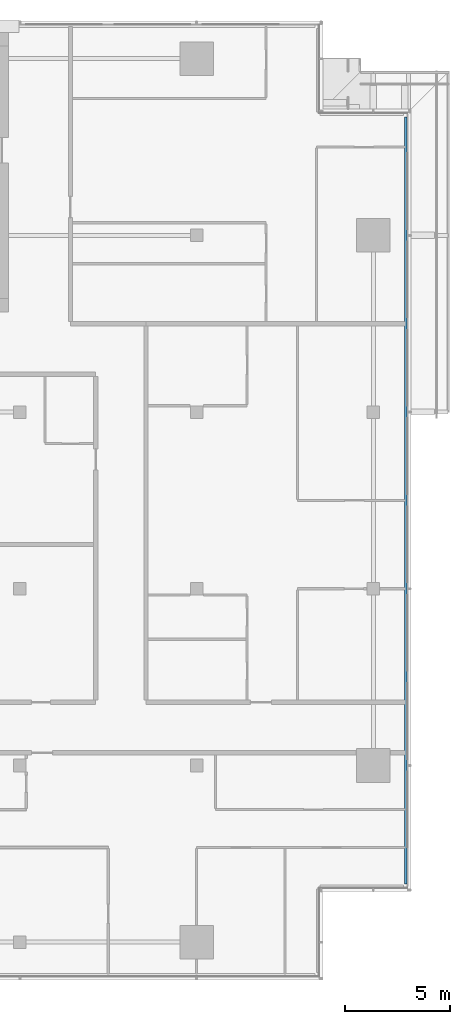
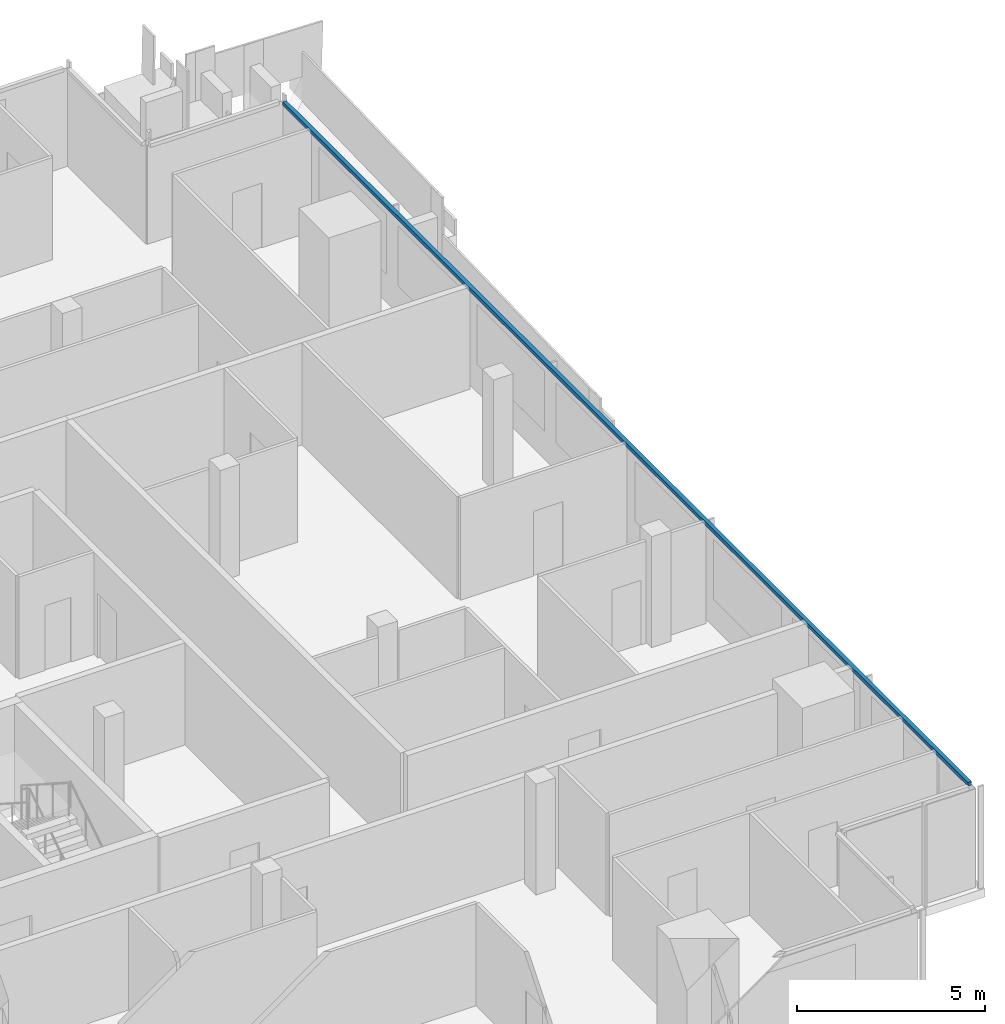
# One storey, part 12 of 30: 1 member, 1 element without a shape of its own.
"""IFC4 building model written with IfcOpenShell, lengths in metres."""

import ifcopenshell
import ifcopenshell.guid

model = None  # the IFC model being written
_history = None  # IfcOwnerHistory: only IFC2X3 demands one
_inside = {}  # id of a spatial element -> (the spatial element, [elements in it])
_under = {}  # id of a project, library or spatial element -> (it, [spatial elements below it])
_declared = {}  # id of a project -> (the project, [libraries it declares])
_typed = {}  # id of a type object -> (the type object, [elements of that type])
_made_of = {}  # id of a material, layer set ... -> (it, [elements and type objects made of it])


def new_model(schema):
    """Start an empty IFC model of exactly this schema.

    Asked for "IFC4X3", IfcOpenShell would pick the latest addendum, in which some entities
    have other attributes; the version numbers below select the first issue.
    IFC2X3 requires an IfcOwnerHistory on every rooted entity: one is made here for all.
    """
    global model, _history
    if schema == "IFC4X3":
        model = ifcopenshell.file(schema_version=(4, 3, 0, 0))
    else:
        model = ifcopenshell.file(schema=schema)
    _inside.clear()
    _under.clear()
    _declared.clear()
    _typed.clear()
    _made_of.clear()
    _history = None
    if model.schema == "IFC2X3":
        org = make("IfcOrganization", Name="unknown")
        user = make(
            "IfcPersonAndOrganization",
            ThePerson=make("IfcPerson", FamilyName="unknown"),
            TheOrganization=org,
        )
        app = make(
            "IfcApplication",
            ApplicationDeveloper=org,
            Version="unknown",
            ApplicationFullName="unknown",
            ApplicationIdentifier="unknown",
        )
        _history = make(
            "IfcOwnerHistory",
            OwningUser=user,
            OwningApplication=app,
            ChangeAction="ADDED",
            CreationDate=0,
        )
    return model


def make(cls, **values):
    """One entity of the class cls with the attributes given. An attribute that is None is left unset."""
    return model.create_entity(
        cls, **{name: value for name, value in values.items() if value is not None}
    )


def rooted(cls, **values):
    """An entity with a GlobalId (a new one), such as an element, a storey or a relation."""
    return make(cls, GlobalId=ifcopenshell.guid.new(), OwnerHistory=_history, **values)


def si_unit(unit_type, name, prefix=None):
    """IfcSIUnit, for example si_unit("LENGTHUNIT", "METRE", prefix="MILLI")."""
    return make("IfcSIUnit", UnitType=unit_type, Prefix=prefix, Name=name)


def assignment(units):
    """IfcUnitAssignment: the units of a project."""
    return None if units is None else make("IfcUnitAssignment", Units=units)


def point(xyz):
    """IfcCartesianPoint."""
    return None if xyz is None else make("IfcCartesianPoint", Coordinates=xyz)


def direction(xyz):
    """IfcDirection."""
    return None if xyz is None else make("IfcDirection", DirectionRatios=xyz)


def frame(location, z_axis=None, x_axis=None):
    """IfcAxis2Placement3D, a coordinate frame: its origin and axes. An axis left out is left unset."""
    return make(
        "IfcAxis2Placement3D",
        Location=point(location),
        Axis=direction(z_axis),
        RefDirection=direction(x_axis),
    )


def frame_2d(location, x_axis=None):
    """IfcAxis2Placement2D, a coordinate frame in the plane: its origin and x axis."""
    return make(
        "IfcAxis2Placement2D", Location=point(location), RefDirection=direction(x_axis)
    )


def origin():
    """The frame at (0, 0, 0) with its axes left unset."""
    return frame((0.0, 0.0, 0.0))


def origin_2d():
    """The frame at (0, 0) in the plane with its x axis left unset."""
    return frame_2d((0.0, 0.0))


def place(relative_to, where):
    """IfcLocalPlacement: puts the frame where relative to a parent placement (None: the world)."""
    return make(
        "IfcLocalPlacement", PlacementRelTo=relative_to, RelativePlacement=where
    )


def context(
    kind, dimensions, precision=None, world=None, true_north=None, identifier=None
):
    """IfcGeometricRepresentationContext, for example the 3D "Model" context."""
    return make(
        "IfcGeometricRepresentationContext",
        ContextIdentifier=identifier,
        ContextType=kind,
        CoordinateSpaceDimension=dimensions,
        Precision=precision,
        WorldCoordinateSystem=world,
        TrueNorth=true_north,
    )


def subcontext(parent, identifier, kind, view, scale=None):
    """IfcGeometricRepresentationSubContext, for example "Body" below "Model"."""
    return make(
        "IfcGeometricRepresentationSubContext",
        ContextIdentifier=identifier,
        ContextType=kind,
        ParentContext=parent,
        TargetScale=scale,
        TargetView=view,
    )


def project(units=None, contexts=None):
    """IfcProject with its units and contexts."""
    return rooted(
        "IfcProject",
        Name="project",
        RepresentationContexts=contexts,
        UnitsInContext=assignment(units),
    )


def spatial(cls, under=None, at=None, **own):
    """A site, building, storey or space (cls), placed at a placement, below another one or the project."""
    s = rooted(cls, ObjectPlacement=at, **own)
    if under is not None:
        _under.setdefault(under.id(), (under, []))[1].append(s)
    return s


def profile(cls, at=None, kind="AREA", **sizes):
    """A parametric profile (cls). Its sizes go by their IFC names, for example OverallWidth=200.0."""
    return make(cls, ProfileType=kind, Position=at, **sizes)


def rectangle(**sizes):
    """IfcRectangleProfileDef."""
    return profile("IfcRectangleProfileDef", **sizes)


def extrude(swept, where, along, depth):
    """IfcExtrudedAreaSolid: the profile swept, set in the frame where, extruded along a direction by depth."""
    return make(
        "IfcExtrudedAreaSolid",
        SweptArea=swept,
        Position=where,
        ExtrudedDirection=direction(along),
        Depth=depth,
    )


def shape(context_of_items, identifier, shape_type, items):
    """IfcShapeRepresentation: the items that make up one representation, for example the "Body"."""
    return make(
        "IfcShapeRepresentation",
        ContextOfItems=context_of_items,
        RepresentationIdentifier=identifier,
        RepresentationType=shape_type,
        Items=items,
    )


def material(Name=None, Category=None):
    """IfcMaterial."""
    return make("IfcMaterial", Name=Name, Category=Category)


def material_profile(
    of_material, cross_section, Name=None, Category=None, Priority=None
):
    """IfcMaterialProfile: a cross section and its material."""
    return make(
        "IfcMaterialProfile",
        Name=Name,
        Material=of_material,
        Profile=cross_section,
        Priority=Priority,
        Category=Category,
    )


def profile_set(profiles, Name=None, composite=None):
    """IfcMaterialProfileSet."""
    return make(
        "IfcMaterialProfileSet",
        Name=Name,
        MaterialProfiles=profiles,
        CompositeProfile=composite,
    )


def made_of(thing, what):
    """Note that an element or type object is made of a material, layer set ...; save() writes the relation."""
    if what is not None:
        _made_of.setdefault(what.id(), (what, []))[1].append(thing)
    return thing


def type_object(cls, material=None, **own):
    """A type object (cls), such as IfcWallType, which elements share."""
    return made_of(rooted(cls, **own), material)


def element(
    cls,
    number,
    at=None,
    inside=None,
    cuts=None,
    type_object=None,
    material=None,
    context=None,
    identifier="Body",
    shape_type=None,
    held_by="IfcProductDefinitionShape",
    body=None,
    shapes=None,
    **own,
):
    """One element of the class cls, such as IfcWall. Its Tag is "e" and its number.

    at: its placement. inside: the storey or other place that contains it. cuts: it is an
    opening in that element (IfcRelVoidsElement). A single representation is given by context,
    identifier, shape_type and body (its items); several are given by shapes. held_by: the class
    of the entity that holds the representations. save() writes the other relations.
    """
    e = rooted(cls, Tag="e%d" % number, ObjectPlacement=at, **own)
    if body is not None:
        shapes = [shape(context, identifier, shape_type, body)]
    if shapes is not None:
        e.Representation = make(held_by, Representations=shapes)
    if inside is not None:
        _inside.setdefault(inside.id(), (inside, []))[1].append(e)
    if cuts is not None:
        rooted(
            "IfcRelVoidsElement", RelatingBuildingElement=cuts, RelatedOpeningElement=e
        )
    if type_object is not None:
        _typed.setdefault(type_object.id(), (type_object, []))[1].append(e)
    return made_of(e, material)


def aggregate(whole, parts):
    """IfcRelAggregates: a whole, such as a stair, and the parts it consists of."""
    return rooted("IfcRelAggregates", RelatingObject=whole, RelatedObjects=parts)


def save(model, path):
    """Write the relations noted so far, then the file.

    IfcRelAggregates (storeys below a building ...), IfcRelContainedInSpatialStructure (elements
    in a storey), IfcRelDefinesByType, IfcRelAssociatesMaterial and IfcRelDeclares: one each for
    every whole, place, type object, material and project.
    """
    for whole, parts in _under.values():
        aggregate(whole, parts)
    for where, things in _inside.values():
        rooted(
            "IfcRelContainedInSpatialStructure",
            RelatedElements=things,
            RelatingStructure=where,
        )
    for kind, things in _typed.values():
        rooted("IfcRelDefinesByType", RelatedObjects=things, RelatingType=kind)
    for what, things in _made_of.values():
        rooted("IfcRelAssociatesMaterial", RelatedObjects=things, RelatingMaterial=what)
    for by, libraries in _declared.values():
        rooted("IfcRelDeclares", RelatingContext=by, RelatedDefinitions=libraries)
    model.write(path)


model = new_model("IFC4")

# Units and contexts
model_context = context("Model", 3, precision=1e-05, world=origin(), true_north=direction((0.0, 1.0)))
body_context = subcontext(model_context, "Body", "Model", "MODEL_VIEW")
ifc_project = project(units=[si_unit("LENGTHUNIT", "METRE"), si_unit("AREAUNIT", "SQUARE_METRE"), si_unit("VOLUMEUNIT", "CUBIC_METRE"), si_unit("PLANEANGLEUNIT", "RADIAN"), si_unit("MASSUNIT", "GRAM", prefix="KILO")], contexts=[model_context])

# Site, building, storey
site_placement = place(None, origin())
site = spatial("IfcSite", under=ifc_project, at=site_placement, CompositionType="ELEMENT")
building_placement = place(site_placement, origin())
building = spatial("IfcBuilding", under=site, at=building_placement, Name="Saffron Gate Tower", CompositionType="ELEMENT")
storey_placement = place(building_placement, frame((0.0, 0.0, 245.10009765625)))
storey = spatial("IfcBuildingStorey", under=building, at=storey_placement, Name="L60", CompositionType="ELEMENT", Elevation=245.10009765625)

# Curtain wall, member
ifc_material = material(Name="Aluminium, bronze anodised", Category="aluminium")
curtain_wall_type = type_object("IfcCurtainWallType", Name="CWS2 curtain wall side facades", PredefinedType="NOTDEFINED", material=ifc_material)
curtain_wall_placement = place(storey_placement, origin())
curtain_wall = element("IfcCurtainWall", 1, at=curtain_wall_placement, inside=storey, type_object=curtain_wall_type, Name="CWS2 run 4", PredefinedType="NOTDEFINED")
ifc_material_profile = material_profile(ifc_material, rectangle(XDim=0.1201171875, YDim=0.1201171875, at=origin_2d()))
ifc_profile_set = profile_set([ifc_material_profile], Name="Aluminium, bronze anodised")
member_type = type_object("IfcMemberType", Name="CWS2 head transom", PredefinedType="USERDEFINED", material=ifc_profile_set)
member_placement = place(storey_placement, frame((126.951904296875, 34.568115234375, 3.260009765625), z_axis=(0.0, 1.0, 0.0), x_axis=(-1.0, 0.0, 0.0)))
member = element("IfcMember", 2, at=member_placement, type_object=member_type, Name="CWS2 head transom", ObjectType="TRANSOM", PredefinedType="USERDEFINED", context=body_context, shape_type="SweptSolid", body=[
    extrude(rectangle(XDim=0.1201171875, YDim=0.1201171875, at=origin_2d()), origin(), (0.0, 0.0, 1.0), 36.4638671875),
])
aggregate(curtain_wall, [member])

save(model, "model.ifc")
